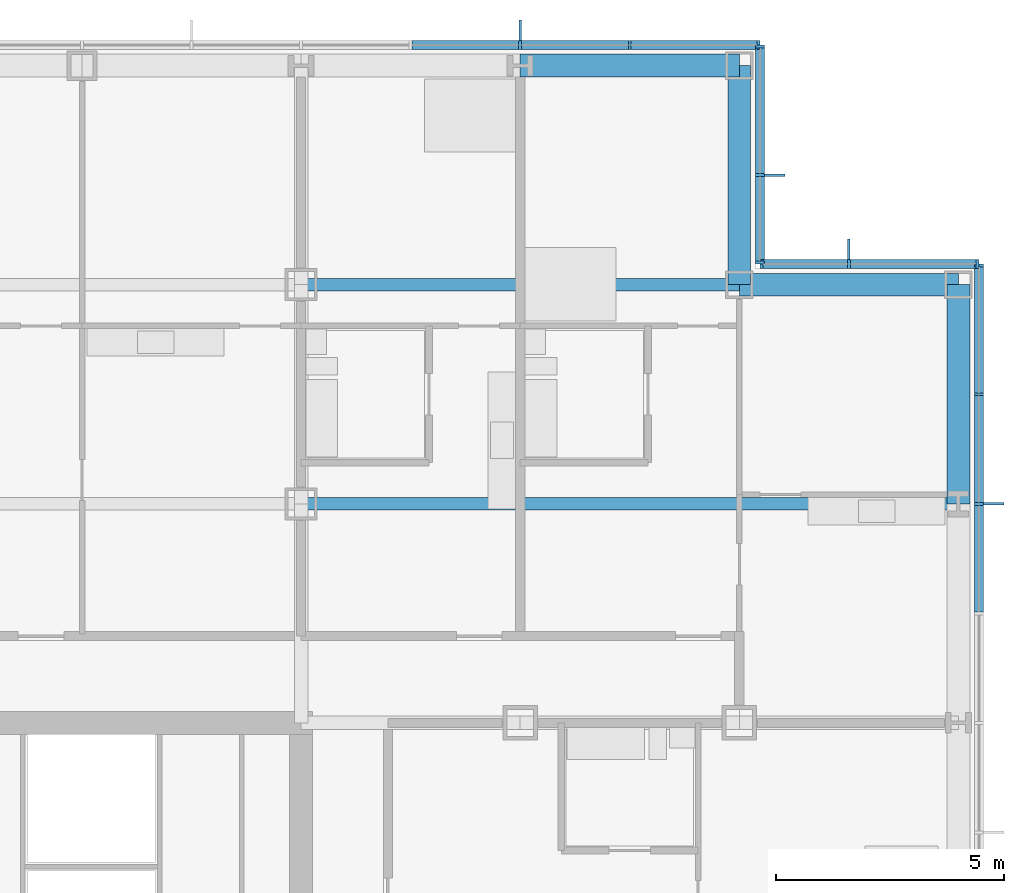
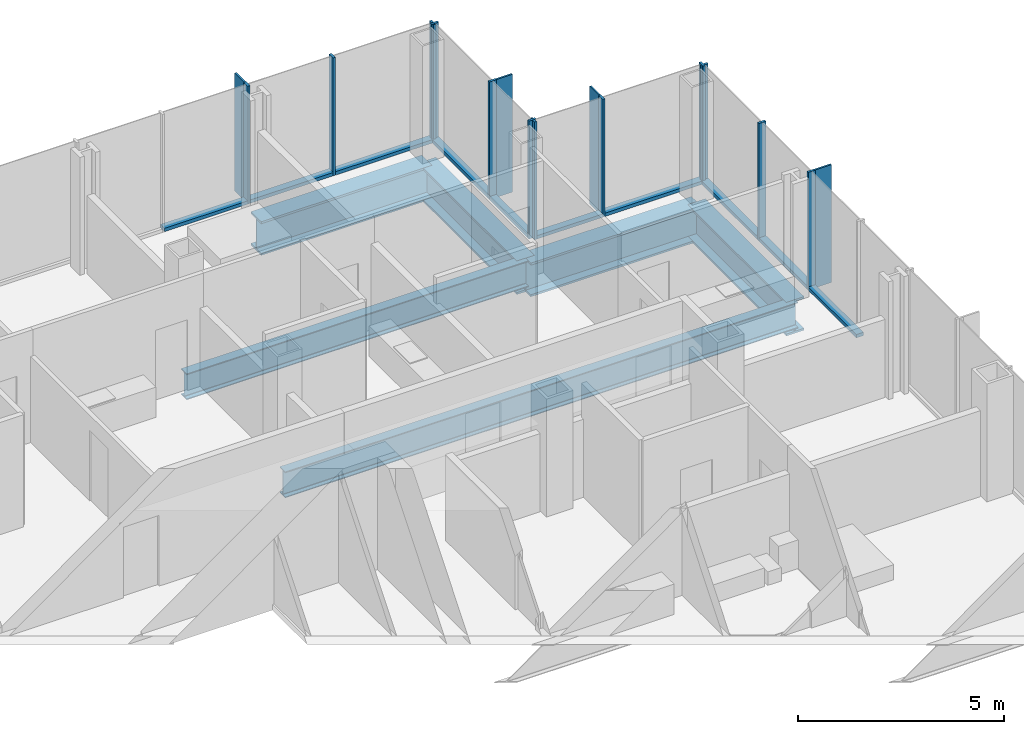
# One storey, part 11 of 21: 26 members, 6 beams, 4 elements without a shape of their own.
"""IFC4 building model written with IfcOpenShell, lengths in metres."""

from ifc_helpers import new_model, si_unit, direction, frame, origin, origin_2d, place, context, subcontext, project, spatial, rectangle, i_section, extrude, material, material_profile, profile_set, type_object, element, aggregate, save


model = new_model("IFC4")

# Units and contexts
model_context = context("Model", 3, precision=1e-05, world=origin(), true_north=direction((0.0, 1.0)))
body_context = subcontext(model_context, "Body", "Model", "MODEL_VIEW")
ifc_project = project(units=[si_unit("LENGTHUNIT", "METRE"), si_unit("AREAUNIT", "SQUARE_METRE"), si_unit("VOLUMEUNIT", "CUBIC_METRE"), si_unit("PLANEANGLEUNIT", "RADIAN"), si_unit("MASSUNIT", "GRAM", prefix="KILO")], contexts=[model_context])

# Site, building, storey
site_placement = place(None, origin())
site = spatial("IfcSite", under=ifc_project, at=site_placement, CompositionType="ELEMENT")
building_placement = place(site_placement, origin())
building = spatial("IfcBuilding", under=site, at=building_placement, Name="Kvirike Care Tower", CompositionType="ELEMENT")
storey_placement = place(building_placement, frame((0.0, 0.0, 30.5)))
storey = spatial("IfcBuildingStorey", under=building, at=storey_placement, Name="L07", CompositionType="ELEMENT", Elevation=30.5)

# Curtain wall, member
ifc_material_1 = material(Name="Anodised aluminium stick system", Category="aluminium")
curtain_wall_type = type_object("IfcCurtainWallType", Name="CW-A STICK CURTAIN WALL", PredefinedType="NOTDEFINED", material=ifc_material_1)
curtain_wall_1_placement = place(storey_placement, origin())
curtain_wall_1 = element("IfcCurtainWall", 1, at=curtain_wall_1_placement, inside=storey, type_object=curtain_wall_type, Name="Curtain wall L07 face 7", PredefinedType="NOTDEFINED")
ifc_material_2 = material(Name="Bronze anodised aluminium fin", Category="aluminium")
ifc_material_profile_1 = material_profile(ifc_material_2, rectangle(XDim=0.050048828125, YDim=0.449951171875, at=origin_2d()), Name="BRONZE FIN 450")
ifc_profile_set_1 = profile_set([ifc_material_profile_1], Name="Bronze anodised aluminium fin")
member_type_1 = type_object("IfcMemberType", Name="BRONZE FIN 450", PredefinedType="USERDEFINED", material=ifc_profile_set_1)
member_1_placement = place(storey_placement, frame((43.97509765625, 48.0, 0.0), z_axis=(0.0, 0.0, 1.0), x_axis=(0.0, 1.0, 0.0)))
member_1 = element("IfcMember", 2, at=member_1_placement, type_object=member_type_1, Name="Bronze fin L07 face 7.13", ObjectType="FIN", PredefinedType="USERDEFINED", context=body_context, shape_type="SweptSolid", body=[
    extrude(rectangle(XDim=0.050048828125, YDim=0.449951171875, at=origin_2d()), origin(), (0.0, 0.0, 1.0), 3.5),
])

curtain_wall_2_placement = place(storey_placement, origin())
curtain_wall_2 = element("IfcCurtainWall", 3, at=curtain_wall_2_placement, inside=storey, type_object=curtain_wall_type, Name="Curtain wall L07 face 8", PredefinedType="NOTDEFINED")
member_2_placement = place(storey_placement, frame((40.800048828125, 53.574951171875, 0.0), z_axis=(0.0, 0.0, 1.0), x_axis=(-1.0, 0.0, 0.0)))
member_2 = element("IfcMember", 4, at=member_2_placement, type_object=member_type_1, Name="Bronze fin L07 face 8.2", ObjectType="FIN", PredefinedType="USERDEFINED", context=body_context, shape_type="SweptSolid", body=[
    extrude(rectangle(XDim=0.050048828125, YDim=0.449951171875, at=origin_2d()), origin(), (0.0, 0.0, 1.0), 3.5),
])

curtain_wall_3_placement = place(storey_placement, origin())
curtain_wall_3 = element("IfcCurtainWall", 5, at=curtain_wall_3_placement, inside=storey, type_object=curtain_wall_type, Name="Curtain wall L07 face 9", PredefinedType="NOTDEFINED")
member_3_placement = place(storey_placement, frame((39.175048828125, 55.199951171875, 0.0), z_axis=(0.0, 0.0, 1.0), x_axis=(0.0, 1.0, 0.0)))
member_3 = element("IfcMember", 6, at=member_3_placement, type_object=member_type_1, Name="Bronze fin L07 face 9.2", ObjectType="FIN", PredefinedType="USERDEFINED", context=body_context, shape_type="SweptSolid", body=[
    extrude(rectangle(XDim=0.050048828125, YDim=0.449951171875, at=origin_2d()), origin(), (0.0, 0.0, 1.0), 3.5),
])

curtain_wall_4_placement = place(storey_placement, origin())
curtain_wall_4 = element("IfcCurtainWall", 7, at=curtain_wall_4_placement, inside=storey, type_object=curtain_wall_type, Name="Curtain wall L07 face 10", PredefinedType="NOTDEFINED")
member_4_placement = place(storey_placement, frame((33.60009765625, 58.375, 0.0), z_axis=(0.0, 0.0, 1.0), x_axis=(-1.0, 0.0, 0.0)))
member_4 = element("IfcMember", 8, at=member_4_placement, type_object=member_type_1, Name="Bronze fin L07 face 10.3", ObjectType="FIN", PredefinedType="USERDEFINED", context=body_context, shape_type="SweptSolid", body=[
    extrude(rectangle(XDim=0.050048828125, YDim=0.449951171875, at=origin_2d()), origin(), (0.0, 0.0, 1.0), 3.5),
])

# Member
ifc_material_3 = material(Name="Bronze anodised aluminium mullion", Category="aluminium")
ifc_material_profile_2 = material_profile(ifc_material_3, rectangle(XDim=0.06494140625, YDim=0.199951171875, at=origin_2d()), Name="CW-A MULLION 65x200")
ifc_profile_set_2 = profile_set([ifc_material_profile_2], Name="Bronze anodised aluminium mullion")
member_type_2 = type_object("IfcMemberType", Name="CW-A MULLION 65x200", PredefinedType="MULLION", material=ifc_profile_set_2)
member_5_placement = place(storey_placement, frame((43.64990234375, 48.0, 0.0), z_axis=(0.0, 0.0, 1.0), x_axis=(0.0, 1.0, 0.0)))
member_5 = element("IfcMember", 9, at=member_5_placement, type_object=member_type_2, Name="CW-A mullion L07 face 7.13", PredefinedType="MULLION", context=body_context, shape_type="SweptSolid", body=[
    extrude(rectangle(XDim=0.06494140625, YDim=0.199951171875, at=origin_2d()), origin(), (0.0, 0.0, 1.0), 3.5),
])

member_6_placement = place(storey_placement, frame((43.64990234375, 50.39990234375, 0.0), z_axis=(0.0, 0.0, 1.0), x_axis=(0.0, 1.0, 0.0)))
member_6 = element("IfcMember", 10, at=member_6_placement, type_object=member_type_2, Name="CW-A mullion L07 face 7.14", PredefinedType="MULLION", context=body_context, shape_type="SweptSolid", body=[
    extrude(rectangle(XDim=0.06494140625, YDim=0.199951171875, at=origin_2d()), origin(), (0.0, 0.0, 1.0), 3.5),
])

member_7_placement = place(storey_placement, frame((43.64990234375, 53.217529296875, 0.0), z_axis=(0.0, 0.0, 1.0), x_axis=(0.0, 1.0, 0.0)))
member_7 = element("IfcMember", 11, at=member_7_placement, type_object=member_type_2, Name="CW-A mullion L07 face 7.15", PredefinedType="MULLION", context=body_context, shape_type="SweptSolid", body=[
    extrude(rectangle(XDim=0.06494140625, YDim=0.199951171875, at=origin_2d()), origin(), (0.0, 0.0, 1.0), 3.5),
])

member_8_placement = place(storey_placement, frame((43.617431640625, 53.25, 0.0), z_axis=(0.0, 0.0, 1.0), x_axis=(-1.0, 0.0, 0.0)))
member_8 = element("IfcMember", 12, at=member_8_placement, type_object=member_type_2, Name="CW-A mullion L07 face 8.1", PredefinedType="MULLION", context=body_context, shape_type="SweptSolid", body=[
    extrude(rectangle(XDim=0.06494140625, YDim=0.199951171875, at=origin_2d()), origin(), (0.0, 0.0, 1.0), 3.5),
])

member_9_placement = place(storey_placement, frame((40.800048828125, 53.25, 0.0), z_axis=(0.0, 0.0, 1.0), x_axis=(-1.0, 0.0, 0.0)))
member_9 = element("IfcMember", 13, at=member_9_placement, type_object=member_type_2, Name="CW-A mullion L07 face 8.2", PredefinedType="MULLION", context=body_context, shape_type="SweptSolid", body=[
    extrude(rectangle(XDim=0.06494140625, YDim=0.199951171875, at=origin_2d()), origin(), (0.0, 0.0, 1.0), 3.5),
])

member_10_placement = place(storey_placement, frame((38.882568359375, 53.25, 0.0), z_axis=(0.0, 0.0, 1.0), x_axis=(-1.0, 0.0, 0.0)))
member_10 = element("IfcMember", 14, at=member_10_placement, type_object=member_type_2, Name="CW-A mullion L07 face 8.3", PredefinedType="MULLION", context=body_context, shape_type="SweptSolid", body=[
    extrude(rectangle(XDim=0.06494140625, YDim=0.199951171875, at=origin_2d()), origin(), (0.0, 0.0, 1.0), 3.5),
])

member_11_placement = place(storey_placement, frame((38.85009765625, 53.282470703125, 0.0), z_axis=(0.0, 0.0, 1.0), x_axis=(0.0, 1.0, 0.0)))
member_11 = element("IfcMember", 15, at=member_11_placement, type_object=member_type_2, Name="CW-A mullion L07 face 9.1", PredefinedType="MULLION", context=body_context, shape_type="SweptSolid", body=[
    extrude(rectangle(XDim=0.06494140625, YDim=0.199951171875, at=origin_2d()), origin(), (0.0, 0.0, 1.0), 3.5),
])

member_12_placement = place(storey_placement, frame((38.85009765625, 55.199951171875, 0.0), z_axis=(0.0, 0.0, 1.0), x_axis=(0.0, 1.0, 0.0)))
member_12 = element("IfcMember", 16, at=member_12_placement, type_object=member_type_2, Name="CW-A mullion L07 face 9.2", PredefinedType="MULLION", context=body_context, shape_type="SweptSolid", body=[
    extrude(rectangle(XDim=0.06494140625, YDim=0.199951171875, at=origin_2d()), origin(), (0.0, 0.0, 1.0), 3.5),
])

member_13_placement = place(storey_placement, frame((38.85009765625, 58.017578125, 0.0), z_axis=(0.0, 0.0, 1.0), x_axis=(0.0, 1.0, 0.0)))
member_13 = element("IfcMember", 17, at=member_13_placement, type_object=member_type_2, Name="CW-A mullion L07 face 9.3", PredefinedType="MULLION", context=body_context, shape_type="SweptSolid", body=[
    extrude(rectangle(XDim=0.06494140625, YDim=0.199951171875, at=origin_2d()), origin(), (0.0, 0.0, 1.0), 3.5),
])

member_14_placement = place(storey_placement, frame((38.8173828125, 58.050048828125, 0.0), z_axis=(0.0, 0.0, 1.0), x_axis=(-1.0, 0.0, 0.0)))
member_14 = element("IfcMember", 18, at=member_14_placement, type_object=member_type_2, Name="CW-A mullion L07 face 10.1", PredefinedType="MULLION", context=body_context, shape_type="SweptSolid", body=[
    extrude(rectangle(XDim=0.06494140625, YDim=0.199951171875, at=origin_2d()), origin(), (0.0, 0.0, 1.0), 3.5),
])

member_15_placement = place(storey_placement, frame((36.0, 58.050048828125, 0.0), z_axis=(0.0, 0.0, 1.0), x_axis=(-1.0, 0.0, 0.0)))
member_15 = element("IfcMember", 19, at=member_15_placement, type_object=member_type_2, Name="CW-A mullion L07 face 10.2", PredefinedType="MULLION", context=body_context, shape_type="SweptSolid", body=[
    extrude(rectangle(XDim=0.06494140625, YDim=0.199951171875, at=origin_2d()), origin(), (0.0, 0.0, 1.0), 3.5),
])

member_16_placement = place(storey_placement, frame((33.60009765625, 58.050048828125, 0.0), z_axis=(0.0, 0.0, 1.0), x_axis=(-1.0, 0.0, 0.0)))
member_16 = element("IfcMember", 20, at=member_16_placement, type_object=member_type_2, Name="CW-A mullion L07 face 10.3", PredefinedType="MULLION", context=body_context, shape_type="SweptSolid", body=[
    extrude(rectangle(XDim=0.06494140625, YDim=0.199951171875, at=origin_2d()), origin(), (0.0, 0.0, 1.0), 3.5),
])

ifc_material_4 = material(Name="Bronze anodised aluminium transom", Category="aluminium")
ifc_material_profile_3 = material_profile(ifc_material_4, rectangle(XDim=0.199951171875, YDim=0.10009765625, at=origin_2d()), Name="CW-A TRANSOM 200x100")
ifc_profile_set_3 = profile_set([ifc_material_profile_3], Name="Bronze anodised aluminium transom")
member_type_3 = type_object("IfcMemberType", Name="CW-A TRANSOM 200x100", PredefinedType="USERDEFINED", material=ifc_profile_set_3)
member_17_placement = place(storey_placement, frame((43.64990234375, 45.632568359375, 0.050048828125), z_axis=(0.0, 1.0, 0.0), x_axis=(-1.0, 0.0, 0.0)))
member_17 = element("IfcMember", 21, at=member_17_placement, type_object=member_type_3, Name="CW-A sill transom L07 face 7.12", ObjectType="TRANSOM", PredefinedType="USERDEFINED", context=body_context, shape_type="SweptSolid", body=[
    extrude(rectangle(XDim=0.199951171875, YDim=0.10009765625, at=origin_2d()), origin(), (0.0, 0.0, 1.0), 2.3349609375),
])

member_18_placement = place(storey_placement, frame((43.64990234375, 48.032470703125, 0.050048828125), z_axis=(0.0, 1.0, 0.0), x_axis=(-1.0, 0.0, 0.0)))
member_18 = element("IfcMember", 22, at=member_18_placement, type_object=member_type_3, Name="CW-A sill transom L07 face 7.13", ObjectType="TRANSOM", PredefinedType="USERDEFINED", context=body_context, shape_type="SweptSolid", body=[
    extrude(rectangle(XDim=0.199951171875, YDim=0.10009765625, at=origin_2d()), origin(), (0.0, 0.0, 1.0), 2.3349609375),
])

member_19_placement = place(storey_placement, frame((43.64990234375, 50.4326171875, 0.050048828125), z_axis=(0.0, 1.0, 0.0), x_axis=(-1.0, 0.0, 0.0)))
member_19 = element("IfcMember", 23, at=member_19_placement, type_object=member_type_3, Name="CW-A sill transom L07 face 7.14", ObjectType="TRANSOM", PredefinedType="USERDEFINED", context=body_context, shape_type="SweptSolid", body=[
    extrude(rectangle(XDim=0.199951171875, YDim=0.10009765625, at=origin_2d()), origin(), (0.0, 0.0, 1.0), 2.75244140625),
])

aggregate(curtain_wall_1, [member_5, member_1, member_6, member_7, member_17, member_18, member_19])

member_20_placement = place(storey_placement, frame((43.5849609375, 53.25, 0.050048828125), z_axis=(-1.0, 0.0, 0.0), x_axis=(0.0, -1.0, 0.0)))
member_20 = element("IfcMember", 24, at=member_20_placement, type_object=member_type_3, Name="CW-A sill transom L07 face 8.1", ObjectType="TRANSOM", PredefinedType="USERDEFINED", context=body_context, shape_type="SweptSolid", body=[
    extrude(rectangle(XDim=0.199951171875, YDim=0.10009765625, at=origin_2d()), origin(), (0.0, 0.0, 1.0), 2.75244140625),
])

member_21_placement = place(storey_placement, frame((40.767578125, 53.25, 0.050048828125), z_axis=(-1.0, 0.0, 0.0), x_axis=(0.0, -1.0, 0.0)))
member_21 = element("IfcMember", 25, at=member_21_placement, type_object=member_type_3, Name="CW-A sill transom L07 face 8.2", ObjectType="TRANSOM", PredefinedType="USERDEFINED", context=body_context, shape_type="SweptSolid", body=[
    extrude(rectangle(XDim=0.199951171875, YDim=0.10009765625, at=origin_2d()), origin(), (0.0, 0.0, 1.0), 1.8525390625),
])

aggregate(curtain_wall_2, [member_8, member_9, member_2, member_10, member_20, member_21])

member_22_placement = place(storey_placement, frame((38.85009765625, 53.31494140625, 0.050048828125), z_axis=(0.0, 1.0, 0.0), x_axis=(-1.0, 0.0, 0.0)))
member_22 = element("IfcMember", 26, at=member_22_placement, type_object=member_type_3, Name="CW-A sill transom L07 face 9.1", ObjectType="TRANSOM", PredefinedType="USERDEFINED", context=body_context, shape_type="SweptSolid", body=[
    extrude(rectangle(XDim=0.199951171875, YDim=0.10009765625, at=origin_2d()), origin(), (0.0, 0.0, 1.0), 1.8525390625),
])

member_23_placement = place(storey_placement, frame((38.85009765625, 55.232421875, 0.050048828125), z_axis=(0.0, 1.0, 0.0), x_axis=(-1.0, 0.0, 0.0)))
member_23 = element("IfcMember", 27, at=member_23_placement, type_object=member_type_3, Name="CW-A sill transom L07 face 9.2", ObjectType="TRANSOM", PredefinedType="USERDEFINED", context=body_context, shape_type="SweptSolid", body=[
    extrude(rectangle(XDim=0.199951171875, YDim=0.10009765625, at=origin_2d()), origin(), (0.0, 0.0, 1.0), 2.752685546875),
])

aggregate(curtain_wall_3, [member_11, member_12, member_3, member_13, member_22, member_23])

member_24_placement = place(storey_placement, frame((38.784912109375, 58.050048828125, 0.050048828125), z_axis=(-1.0, 0.0, 0.0), x_axis=(0.0, -1.0, 0.0)))
member_24 = element("IfcMember", 28, at=member_24_placement, type_object=member_type_3, Name="CW-A sill transom L07 face 10.1", ObjectType="TRANSOM", PredefinedType="USERDEFINED", context=body_context, shape_type="SweptSolid", body=[
    extrude(rectangle(XDim=0.199951171875, YDim=0.10009765625, at=origin_2d()), origin(), (0.0, 0.0, 1.0), 2.75244140625),
])

member_25_placement = place(storey_placement, frame((35.967529296875, 58.050048828125, 0.050048828125), z_axis=(-1.0, 0.0, 0.0), x_axis=(0.0, -1.0, 0.0)))
member_25 = element("IfcMember", 29, at=member_25_placement, type_object=member_type_3, Name="CW-A sill transom L07 face 10.2", ObjectType="TRANSOM", PredefinedType="USERDEFINED", context=body_context, shape_type="SweptSolid", body=[
    extrude(rectangle(XDim=0.199951171875, YDim=0.10009765625, at=origin_2d()), origin(), (0.0, 0.0, 1.0), 2.3349609375),
])

member_26_placement = place(storey_placement, frame((33.5673828125, 58.050048828125, 0.050048828125), z_axis=(-1.0, 0.0, 0.0), x_axis=(0.0, -1.0, 0.0)))
member_26 = element("IfcMember", 30, at=member_26_placement, type_object=member_type_3, Name="CW-A sill transom L07 face 10.3", ObjectType="TRANSOM", PredefinedType="USERDEFINED", context=body_context, shape_type="SweptSolid", body=[
    extrude(rectangle(XDim=0.199951171875, YDim=0.10009765625, at=origin_2d()), origin(), (0.0, 0.0, 1.0), 2.3349609375),
])

aggregate(curtain_wall_4, [member_14, member_15, member_16, member_4, member_24, member_25, member_26])

# Beams
ifc_material_5 = material(Name="Steel S355", Category="steel")
ifc_material_profile_4 = material_profile(ifc_material_5, i_section(OverallWidth=0.26806640625, OverallDepth=0.77001953125, WebThickness=0.015625, FlangeThickness=0.025390625, FilletRadius=0.01708984375, at=origin_2d()), Name="IPE 750x196")
ifc_profile_set_4 = profile_set([ifc_material_profile_4], Name="Steel S355")
beam_type_1 = type_object("IfcBeamType", Name="FLOOR BEAM IPE 750x196", PredefinedType="BEAM", material=ifc_profile_set_4)
beam_1_placement = place(storey_placement, frame((28.800048828125, 48.0, -0.554931640625), z_axis=(1.0, 0.0, 0.0), x_axis=(0.0, 1.0, 0.0)))
element("IfcBeam", 31, at=beam_1_placement, inside=storey, type_object=beam_type_1, Name="Floor Beam L9-L12 L07", PredefinedType="BEAM", context=body_context, shape_type="SweptSolid", body=[
    extrude(i_section(OverallWidth=0.26806640625, OverallDepth=0.77001953125, WebThickness=0.015625, FlangeThickness=0.025390625, FilletRadius=0.01708984375, at=origin_2d()), origin(), (0.0, 0.0, 1.0), 14.39990234375),
])
beam_2_placement = place(storey_placement, frame((28.800048828125, 52.800048828125, -0.554931640625), z_axis=(1.0, 0.0, 0.0), x_axis=(0.0, 1.0, 0.0)))
element("IfcBeam", 32, at=beam_2_placement, inside=storey, type_object=beam_type_1, Name="Floor Beam M9-M11 L07", PredefinedType="BEAM", context=body_context, shape_type="SweptSolid", body=[
    extrude(i_section(OverallWidth=0.26806640625, OverallDepth=0.77001953125, WebThickness=0.015625, FlangeThickness=0.025390625, FilletRadius=0.01708984375, at=origin_2d()), origin(), (0.0, 0.0, 1.0), 9.599853515625),
])
ifc_material_6 = material(Name="Steel S355", Category="steel")
ifc_material_profile_5 = material_profile(ifc_material_6, i_section(OverallWidth=0.5, OverallDepth=1.0, WebThickness=0.030029296875, FlangeThickness=0.06005859375, at=origin_2d()), Name="PG 1000x500x30x60")
ifc_profile_set_5 = profile_set([ifc_material_profile_5], Name="Steel S355")
beam_type_2 = type_object("IfcBeamType", Name="SPANDREL PG 1000x500x30x60", PredefinedType="SPANDREL", material=ifc_profile_set_5)
beam_3_placement = place(storey_placement, frame((38.39990234375, 52.800048828125, -0.669921875), z_axis=(1.0, 0.0, 0.0), x_axis=(0.0, 1.0, 0.0)))
element("IfcBeam", 33, at=beam_3_placement, inside=storey, type_object=beam_type_2, Name="Spandrel M11-M12 L07", PredefinedType="SPANDREL", context=body_context, shape_type="SweptSolid", body=[
    extrude(i_section(OverallWidth=0.5, OverallDepth=1.0, WebThickness=0.030029296875, FlangeThickness=0.06005859375, at=origin_2d()), origin(), (0.0, 0.0, 1.0), 4.800048828125),
])
beam_4_placement = place(storey_placement, frame((33.60009765625, 57.60009765625, -0.669921875), z_axis=(1.0, 0.0, 0.0), x_axis=(0.0, 1.0, 0.0)))
element("IfcBeam", 34, at=beam_4_placement, inside=storey, type_object=beam_type_2, Name="Spandrel N10-N11 L07", PredefinedType="SPANDREL", context=body_context, shape_type="SweptSolid", body=[
    extrude(i_section(OverallWidth=0.5, OverallDepth=1.0, WebThickness=0.030029296875, FlangeThickness=0.06005859375, at=origin_2d()), origin(), (0.0, 0.0, 1.0), 4.7998046875),
])
for number, where, z_axis, x_axis, name in (
    (35, (38.39990234375, 52.800048828125, -0.669921875), (0.0, 1.0, 0.0), (-1.0, 0.0, 0.0), "Spandrel M11-N11 L07"),
    (36, (43.199951171875, 48.0, -0.669921875), (0.0, 1.0, 0.0), (-1.0, 0.0, 0.0), "Spandrel L12-M12 L07"),
):
    element("IfcBeam", number, at=place(storey_placement, frame(where, z_axis=z_axis, x_axis=x_axis)), inside=storey, type_object=beam_type_2, Name=name, PredefinedType="SPANDREL", context=body_context, shape_type="SweptSolid", body=[
        extrude(i_section(OverallWidth=0.5, OverallDepth=1.0, WebThickness=0.030029296875, FlangeThickness=0.06005859375, at=origin_2d()), origin(), (0.0, 0.0, 1.0), 4.800048828125),
    ])

save(model, "model.ifc")
